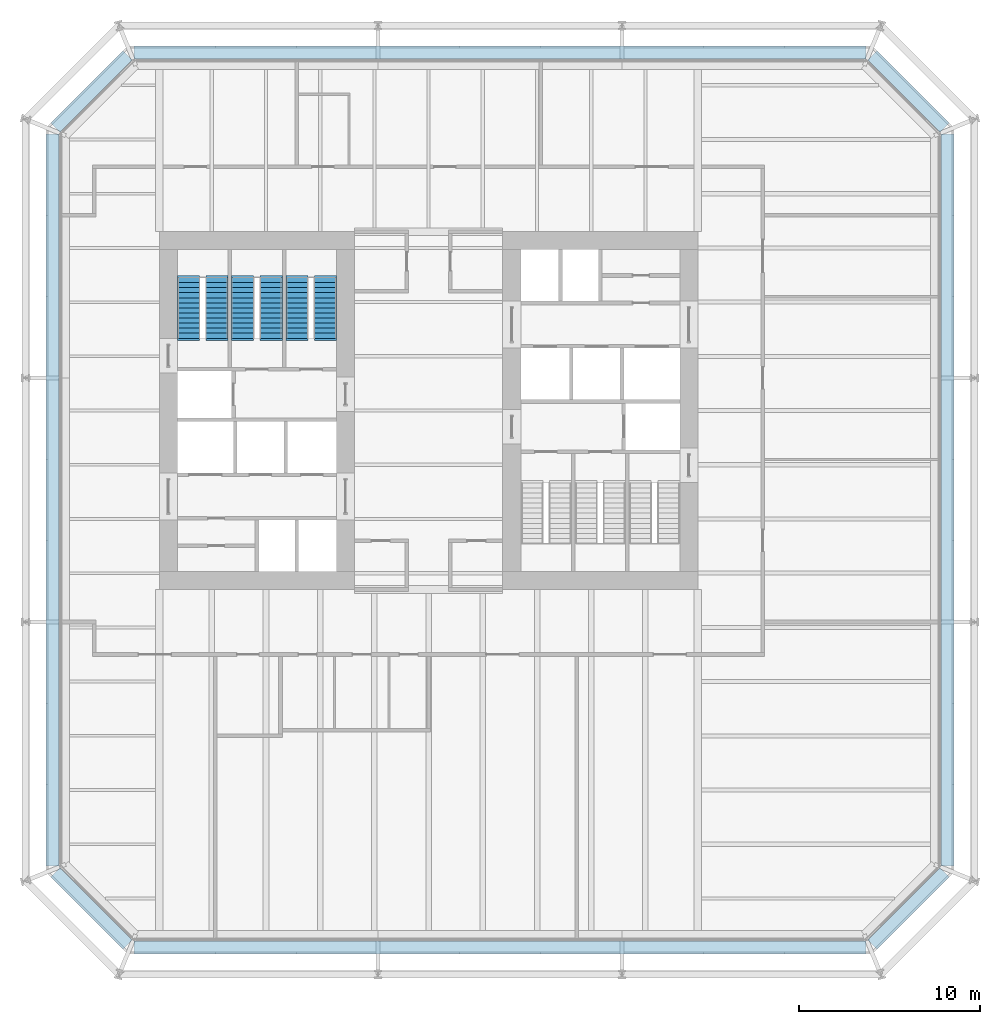
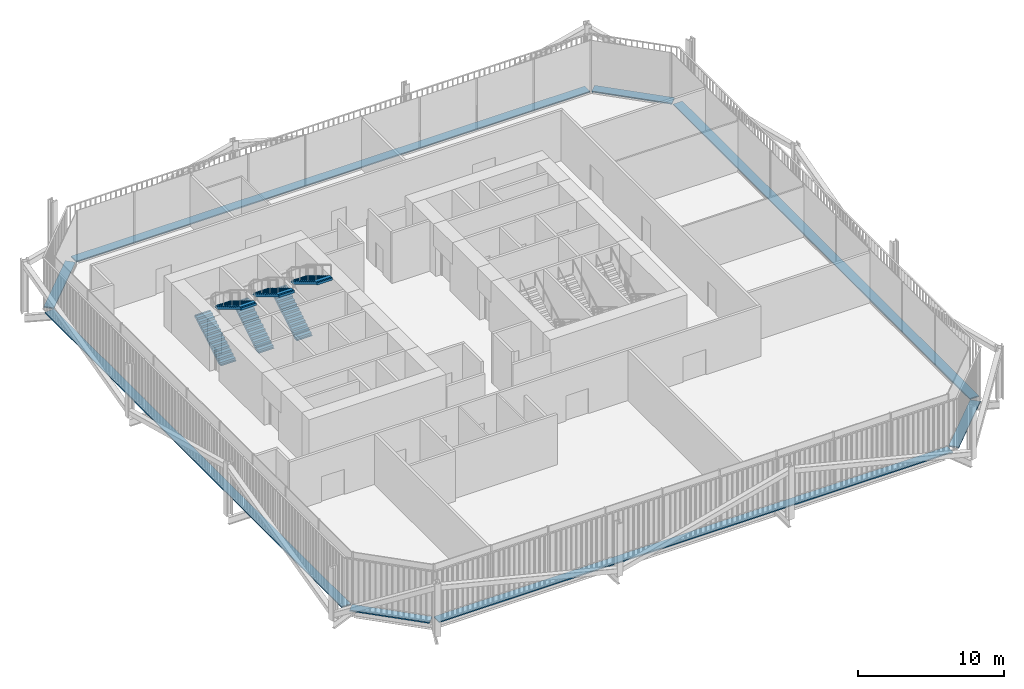
# One storey, part 20 of 21: 8 discrete accessories, 6 stair flights, 3 elements without a shape of their own.
"""IFC4 building model written with IfcOpenShell, lengths in metres."""

from ifc_helpers import new_model, si_unit, direction, frame, origin, origin_2d, place, context, subcontext, project, spatial, polyline, rectangle, outline, extrude, material, type_object, element, aggregate, save


model = new_model("IFC4")

# Units and contexts
model_context = context("Model", 3, precision=1e-05, world=origin(), true_north=direction((0.0, 1.0)))
body_context = subcontext(model_context, "Body", "Model", "MODEL_VIEW")
ifc_project = project(units=[si_unit("LENGTHUNIT", "METRE"), si_unit("AREAUNIT", "SQUARE_METRE"), si_unit("VOLUMEUNIT", "CUBIC_METRE"), si_unit("PLANEANGLEUNIT", "RADIAN"), si_unit("MASSUNIT", "GRAM", prefix="KILO")], contexts=[model_context])

# Site, building, storey
site_placement = place(None, origin())
site = spatial("IfcSite", under=ifc_project, at=site_placement, CompositionType="ELEMENT")
building_placement = place(site_placement, origin())
building = spatial("IfcBuilding", under=site, at=building_placement, Name="Millrace Tower", CompositionType="ELEMENT")
storey_placement = place(building_placement, frame((0.0, 0.0, 90.800048828125)))
storey = spatial("IfcBuildingStorey", under=building, at=storey_placement, Name="L20", CompositionType="ELEMENT", Elevation=90.800048828125)

# Stair, stair flights
ifc_material_1 = material(Name="Concrete C35", Category="concrete")
stair_type = type_object("IfcStairType", Name="Exit stair", PredefinedType="HALF_TURN_STAIR", material=ifc_material_1)
placement = place(storey_placement, origin())
stair_1 = element("IfcStair", 1, at=placement, inside=storey, type_object=stair_type, Name="Stair 1 W L20", PredefinedType="HALF_TURN_STAIR")
ifc_material_2 = material(Name="Concrete C35", Category="concrete")
stair_flight_type = type_object("IfcStairFlightType", Name="Exit stair flight", PredefinedType="STRAIGHT", material=ifc_material_2)
stair_flight_1_placement = place(storey_placement, frame((-13.2900390625, 4.0, 0.0), z_axis=(0.0, 0.0, 1.0), x_axis=(0.0, 1.0, 0.0)))
stair_flight_1 = element("IfcStairFlight", 2, at=stair_flight_1_placement, type_object=stair_flight_type, Name="ST12 flight 1", NumberOfRisers=13, NumberOfTreads=12, PredefinedType="STRAIGHT", RiserHeight=0.169230769, TreadLength=0.28, context=body_context, shape_type="SweptSolid", body=[
    extrude(outline(polyline([(-0.1201171875, -0.0400390625), (-0.1201171875, 0.0), (0.0, 0.0), (0.0, 0.169189453125), (0.280029296875, 0.169189453125), (0.280029296875, 0.33837890625), (0.56005859375, 0.33837890625), (0.56005859375, 0.5078125), (0.840087890625, 0.5078125), (0.840087890625, 0.677001953125), (1.1201171875, 0.677001953125), (1.1201171875, 0.84619140625), (1.39990234375, 0.84619140625), (1.39990234375, 1.015380859375), (1.679931640625, 1.015380859375), (1.679931640625, 1.1845703125), (1.9599609375, 1.1845703125), (1.9599609375, 1.353759765625), (2.239990234375, 1.353759765625), (2.239990234375, 1.523193359375), (2.52001953125, 1.523193359375), (2.52001953125, 1.6923828125), (2.800048828125, 1.6923828125), (2.800048828125, 1.861572265625), (3.080078125, 1.861572265625), (3.080078125, 2.03076171875), (3.360107421875, 2.03076171875), (3.360107421875, 2.05078125), (3.47998046875, 2.05078125), (3.47998046875, 1.855712890625), (3.360107421875, 1.855712890625), (0.289794921875, 0.0), (0.289794921875, -0.0400390625), (-0.1201171875, -0.0400390625)])), frame((0.0, 0.60986328125, 0.0), z_axis=(0.0, -1.0, 0.0), x_axis=(1.0, 0.0, 0.0)), (0.0, 0.0, 1.0), 1.219970703125),
])
stair_flight_2_placement = place(storey_placement, frame((-11.7099609375, 7.360107421875, 2.199951171875), z_axis=(0.0, 0.0, 1.0), x_axis=(0.0, -1.0, 0.0)))
stair_flight_2 = element("IfcStairFlight", 3, at=stair_flight_2_placement, type_object=stair_flight_type, Name="ST12 flight 2", NumberOfRisers=13, NumberOfTreads=12, PredefinedType="STRAIGHT", RiserHeight=0.169230769, TreadLength=0.28, context=body_context, shape_type="SweptSolid", body=[
    extrude(outline(polyline([(-0.1201171875, -0.0400390625), (-0.1201171875, 0.0), (0.0, 0.0), (0.0, 0.169189453125), (0.280029296875, 0.169189453125), (0.280029296875, 0.33837890625), (0.56005859375, 0.33837890625), (0.56005859375, 0.5078125), (0.840087890625, 0.5078125), (0.840087890625, 0.677001953125), (1.1201171875, 0.677001953125), (1.1201171875, 0.84619140625), (1.39990234375, 0.84619140625), (1.39990234375, 1.015380859375), (1.679931640625, 1.015380859375), (1.679931640625, 1.1845703125), (1.9599609375, 1.1845703125), (1.9599609375, 1.353759765625), (2.239990234375, 1.353759765625), (2.239990234375, 1.523193359375), (2.52001953125, 1.523193359375), (2.52001953125, 1.6923828125), (2.800048828125, 1.6923828125), (2.800048828125, 1.861572265625), (3.080078125, 1.861572265625), (3.080078125, 2.03076171875), (3.360107421875, 2.03076171875), (3.360107421875, 2.05078125), (3.47998046875, 2.05078125), (3.47998046875, 1.855712890625), (3.360107421875, 1.855712890625), (0.289794921875, 0.0), (0.289794921875, -0.0400390625), (-0.1201171875, -0.0400390625)])), frame((0.0, 0.60986328125, 0.0), z_axis=(0.0, -1.0, 0.0), x_axis=(1.0, 0.0, 0.0)), (0.0, 0.0, 1.0), 1.219970703125),
])
aggregate(stair_1, [stair_flight_1, stair_flight_2])

stair_2 = element("IfcStair", 4, at=placement, inside=storey, type_object=stair_type, Name="Stair 2 W L20", PredefinedType="HALF_TURN_STAIR")
stair_flight_3_placement = place(storey_placement, frame((-10.2900390625, 4.0, 0.0), z_axis=(0.0, 0.0, 1.0), x_axis=(0.0, 1.0, 0.0)))
stair_flight_3 = element("IfcStairFlight", 5, at=stair_flight_3_placement, type_object=stair_flight_type, Name="ST12 flight 1", NumberOfRisers=13, NumberOfTreads=12, PredefinedType="STRAIGHT", RiserHeight=0.169230769, TreadLength=0.28, context=body_context, shape_type="SweptSolid", body=[
    extrude(outline(polyline([(-0.1201171875, -0.0400390625), (-0.1201171875, 0.0), (0.0, 0.0), (0.0, 0.169189453125), (0.280029296875, 0.169189453125), (0.280029296875, 0.33837890625), (0.56005859375, 0.33837890625), (0.56005859375, 0.5078125), (0.840087890625, 0.5078125), (0.840087890625, 0.677001953125), (1.1201171875, 0.677001953125), (1.1201171875, 0.84619140625), (1.39990234375, 0.84619140625), (1.39990234375, 1.015380859375), (1.679931640625, 1.015380859375), (1.679931640625, 1.1845703125), (1.9599609375, 1.1845703125), (1.9599609375, 1.353759765625), (2.239990234375, 1.353759765625), (2.239990234375, 1.523193359375), (2.52001953125, 1.523193359375), (2.52001953125, 1.6923828125), (2.800048828125, 1.6923828125), (2.800048828125, 1.861572265625), (3.080078125, 1.861572265625), (3.080078125, 2.03076171875), (3.360107421875, 2.03076171875), (3.360107421875, 2.05078125), (3.47998046875, 2.05078125), (3.47998046875, 1.855712890625), (3.360107421875, 1.855712890625), (0.289794921875, 0.0), (0.289794921875, -0.0400390625), (-0.1201171875, -0.0400390625)])), frame((0.0, 0.60986328125, 0.0), z_axis=(0.0, -1.0, 0.0), x_axis=(1.0, 0.0, 0.0)), (0.0, 0.0, 1.0), 1.219970703125),
])
stair_flight_4_placement = place(storey_placement, frame((-8.7099609375, 7.360107421875, 2.199951171875), z_axis=(0.0, 0.0, 1.0), x_axis=(0.0, -1.0, 0.0)))
stair_flight_4 = element("IfcStairFlight", 6, at=stair_flight_4_placement, type_object=stair_flight_type, Name="ST12 flight 2", NumberOfRisers=13, NumberOfTreads=12, PredefinedType="STRAIGHT", RiserHeight=0.169230769, TreadLength=0.28, context=body_context, shape_type="SweptSolid", body=[
    extrude(outline(polyline([(-0.1201171875, -0.0400390625), (-0.1201171875, 0.0), (0.0, 0.0), (0.0, 0.169189453125), (0.280029296875, 0.169189453125), (0.280029296875, 0.33837890625), (0.56005859375, 0.33837890625), (0.56005859375, 0.5078125), (0.840087890625, 0.5078125), (0.840087890625, 0.677001953125), (1.1201171875, 0.677001953125), (1.1201171875, 0.84619140625), (1.39990234375, 0.84619140625), (1.39990234375, 1.015380859375), (1.679931640625, 1.015380859375), (1.679931640625, 1.1845703125), (1.9599609375, 1.1845703125), (1.9599609375, 1.353759765625), (2.239990234375, 1.353759765625), (2.239990234375, 1.523193359375), (2.52001953125, 1.523193359375), (2.52001953125, 1.6923828125), (2.800048828125, 1.6923828125), (2.800048828125, 1.861572265625), (3.080078125, 1.861572265625), (3.080078125, 2.03076171875), (3.360107421875, 2.03076171875), (3.360107421875, 2.05078125), (3.47998046875, 2.05078125), (3.47998046875, 1.855712890625), (3.360107421875, 1.855712890625), (0.289794921875, 0.0), (0.289794921875, -0.0400390625), (-0.1201171875, -0.0400390625)])), frame((0.0, 0.60986328125, 0.0), z_axis=(0.0, -1.0, 0.0), x_axis=(1.0, 0.0, 0.0)), (0.0, 0.0, 1.0), 1.219970703125),
])
aggregate(stair_2, [stair_flight_3, stair_flight_4])

stair_3 = element("IfcStair", 7, at=placement, inside=storey, type_object=stair_type, Name="Stair 3 W L20", PredefinedType="HALF_TURN_STAIR")
stair_flight_5_placement = place(storey_placement, frame((-7.2900390625, 4.0, 0.0), z_axis=(0.0, 0.0, 1.0), x_axis=(0.0, 1.0, 0.0)))
stair_flight_5 = element("IfcStairFlight", 8, at=stair_flight_5_placement, type_object=stair_flight_type, Name="ST12 flight 1", NumberOfRisers=13, NumberOfTreads=12, PredefinedType="STRAIGHT", RiserHeight=0.169230769, TreadLength=0.28, context=body_context, shape_type="SweptSolid", body=[
    extrude(outline(polyline([(-0.1201171875, -0.0400390625), (-0.1201171875, 0.0), (0.0, 0.0), (0.0, 0.169189453125), (0.280029296875, 0.169189453125), (0.280029296875, 0.33837890625), (0.56005859375, 0.33837890625), (0.56005859375, 0.5078125), (0.840087890625, 0.5078125), (0.840087890625, 0.677001953125), (1.1201171875, 0.677001953125), (1.1201171875, 0.84619140625), (1.39990234375, 0.84619140625), (1.39990234375, 1.015380859375), (1.679931640625, 1.015380859375), (1.679931640625, 1.1845703125), (1.9599609375, 1.1845703125), (1.9599609375, 1.353759765625), (2.239990234375, 1.353759765625), (2.239990234375, 1.523193359375), (2.52001953125, 1.523193359375), (2.52001953125, 1.6923828125), (2.800048828125, 1.6923828125), (2.800048828125, 1.861572265625), (3.080078125, 1.861572265625), (3.080078125, 2.03076171875), (3.360107421875, 2.03076171875), (3.360107421875, 2.05078125), (3.47998046875, 2.05078125), (3.47998046875, 1.855712890625), (3.360107421875, 1.855712890625), (0.289794921875, 0.0), (0.289794921875, -0.0400390625), (-0.1201171875, -0.0400390625)])), frame((0.0, 0.60986328125, 0.0), z_axis=(0.0, -1.0, 0.0), x_axis=(1.0, 0.0, 0.0)), (0.0, 0.0, 1.0), 1.219970703125),
])
stair_flight_6_placement = place(storey_placement, frame((-5.7099609375, 7.360107421875, 2.199951171875), z_axis=(0.0, 0.0, 1.0), x_axis=(0.0, -1.0, 0.0)))
stair_flight_6 = element("IfcStairFlight", 9, at=stair_flight_6_placement, type_object=stair_flight_type, Name="ST12 flight 2", NumberOfRisers=13, NumberOfTreads=12, PredefinedType="STRAIGHT", RiserHeight=0.169230769, TreadLength=0.28, context=body_context, shape_type="SweptSolid", body=[
    extrude(outline(polyline([(-0.1201171875, -0.0400390625), (-0.1201171875, 0.0), (0.0, 0.0), (0.0, 0.169189453125), (0.280029296875, 0.169189453125), (0.280029296875, 0.33837890625), (0.56005859375, 0.33837890625), (0.56005859375, 0.5078125), (0.840087890625, 0.5078125), (0.840087890625, 0.677001953125), (1.1201171875, 0.677001953125), (1.1201171875, 0.84619140625), (1.39990234375, 0.84619140625), (1.39990234375, 1.015380859375), (1.679931640625, 1.015380859375), (1.679931640625, 1.1845703125), (1.9599609375, 1.1845703125), (1.9599609375, 1.353759765625), (2.239990234375, 1.353759765625), (2.239990234375, 1.523193359375), (2.52001953125, 1.523193359375), (2.52001953125, 1.6923828125), (2.800048828125, 1.6923828125), (2.800048828125, 1.861572265625), (3.080078125, 1.861572265625), (3.080078125, 2.03076171875), (3.360107421875, 2.03076171875), (3.360107421875, 2.05078125), (3.47998046875, 2.05078125), (3.47998046875, 1.855712890625), (3.360107421875, 1.855712890625), (0.289794921875, 0.0), (0.289794921875, -0.0400390625), (-0.1201171875, -0.0400390625)])), frame((0.0, 0.60986328125, 0.0), z_axis=(0.0, -1.0, 0.0), x_axis=(1.0, 0.0, 0.0)), (0.0, 0.0, 1.0), 1.219970703125),
])
aggregate(stair_3, [stair_flight_5, stair_flight_6])

# Discrete accessories
ifc_material_3 = material(Name="Stainless steel ASTM A240 type 316", Category="steel")
discrete_accessory_type = type_object("IfcDiscreteAccessoryType", Name="Thermally broken screen support rail", PredefinedType="BRACKET", material=ifc_material_3)
discrete_accessory_1_placement = place(storey_placement, frame((-18.66064453125, -27.560546875, 0.0), z_axis=(0.0, 0.0, 1.0), x_axis=(0.707106781187, -0.707106781187, 0.0)))
element("IfcDiscreteAccessory", 10, at=discrete_accessory_1_placement, inside=storey, type_object=discrete_accessory_type, Name="Thermally broken screen support rail B-F01 L20 1", PredefinedType="BRACKET", context=body_context, shape_type="SweptSolid", body=[
    extrude(rectangle(XDim=5.65673828125, YDim=0.719970703125, at=origin_2d()), origin(), (0.0, 0.0, 1.0), 0.10009765625),
])
discrete_accessory_2_placement = place(storey_placement, frame((3.949951171875, -29.7099609375, 0.0), z_axis=(0.0, 0.0, 1.0), x_axis=(1.0, 0.0, 0.0)))
element("IfcDiscreteAccessory", 11, at=discrete_accessory_2_placement, inside=storey, type_object=discrete_accessory_type, Name="Thermally broken screen support rail B-F02 L20 1", PredefinedType="BRACKET", context=body_context, shape_type="SweptSolid", body=[
    extrude(rectangle(XDim=40.5, YDim=0.719970703125, at=origin_2d()), origin(), (0.0, 0.0, 1.0), 0.10009765625),
])
discrete_accessory_3_placement = place(storey_placement, frame((26.560546875, -27.560546875, 0.0), z_axis=(0.0, 0.0, 1.0), x_axis=(0.707106781187, 0.707106781187, 0.0)))
element("IfcDiscreteAccessory", 12, at=discrete_accessory_3_placement, inside=storey, type_object=discrete_accessory_type, Name="Thermally broken screen support rail B-F03 L20 1", PredefinedType="BRACKET", context=body_context, shape_type="SweptSolid", body=[
    extrude(rectangle(XDim=5.65673828125, YDim=0.719970703125, at=origin_2d()), origin(), (0.0, 0.0, 1.0), 0.10009765625),
])
discrete_accessory_4_placement = place(storey_placement, frame((28.7099609375, -4.949951171875, 0.0), z_axis=(0.0, 0.0, 1.0), x_axis=(0.0, 1.0, 0.0)))
element("IfcDiscreteAccessory", 13, at=discrete_accessory_4_placement, inside=storey, type_object=discrete_accessory_type, Name="Thermally broken screen support rail B-F04 L20 1", PredefinedType="BRACKET", context=body_context, shape_type="SweptSolid", body=[
    extrude(rectangle(XDim=40.5, YDim=0.719970703125, at=origin_2d()), origin(), (0.0, 0.0, 1.0), 0.10009765625),
])
discrete_accessory_5_placement = place(storey_placement, frame((26.560546875, 17.66064453125, 0.0), z_axis=(0.0, 0.0, 1.0), x_axis=(-0.707106781187, 0.707106781187, 0.0)))
element("IfcDiscreteAccessory", 14, at=discrete_accessory_5_placement, inside=storey, type_object=discrete_accessory_type, Name="Thermally broken screen support rail B-F05 L20 1", PredefinedType="BRACKET", context=body_context, shape_type="SweptSolid", body=[
    extrude(rectangle(XDim=5.65673828125, YDim=0.719970703125, at=origin_2d()), origin(), (0.0, 0.0, 1.0), 0.10009765625),
])
discrete_accessory_6_placement = place(storey_placement, frame((3.949951171875, 19.81005859375, 0.0), z_axis=(0.0, 0.0, 1.0), x_axis=(-1.0, 0.0, 0.0)))
element("IfcDiscreteAccessory", 15, at=discrete_accessory_6_placement, inside=storey, type_object=discrete_accessory_type, Name="Thermally broken screen support rail B-F06 L20 1", PredefinedType="BRACKET", context=body_context, shape_type="SweptSolid", body=[
    extrude(rectangle(XDim=40.5, YDim=0.719970703125, at=origin_2d()), origin(), (0.0, 0.0, 1.0), 0.10009765625),
])
discrete_accessory_7_placement = place(storey_placement, frame((-18.66064453125, 17.66064453125, 0.0), z_axis=(0.0, 0.0, 1.0), x_axis=(-0.707106781187, -0.707106781187, 0.0)))
element("IfcDiscreteAccessory", 16, at=discrete_accessory_7_placement, inside=storey, type_object=discrete_accessory_type, Name="Thermally broken screen support rail B-F07 L20 1", PredefinedType="BRACKET", context=body_context, shape_type="SweptSolid", body=[
    extrude(rectangle(XDim=5.65673828125, YDim=0.719970703125, at=origin_2d()), origin(), (0.0, 0.0, 1.0), 0.10009765625),
])
discrete_accessory_8_placement = place(storey_placement, frame((-20.81005859375, -4.949951171875, 0.0), z_axis=(0.0, 0.0, 1.0), x_axis=(0.0, -1.0, 0.0)))
element("IfcDiscreteAccessory", 17, at=discrete_accessory_8_placement, inside=storey, type_object=discrete_accessory_type, Name="Thermally broken screen support rail B-F08 L20 1", PredefinedType="BRACKET", context=body_context, shape_type="SweptSolid", body=[
    extrude(rectangle(XDim=40.5, YDim=0.719970703125, at=origin_2d()), origin(), (0.0, 0.0, 1.0), 0.10009765625),
])

save(model, "model.ifc")
